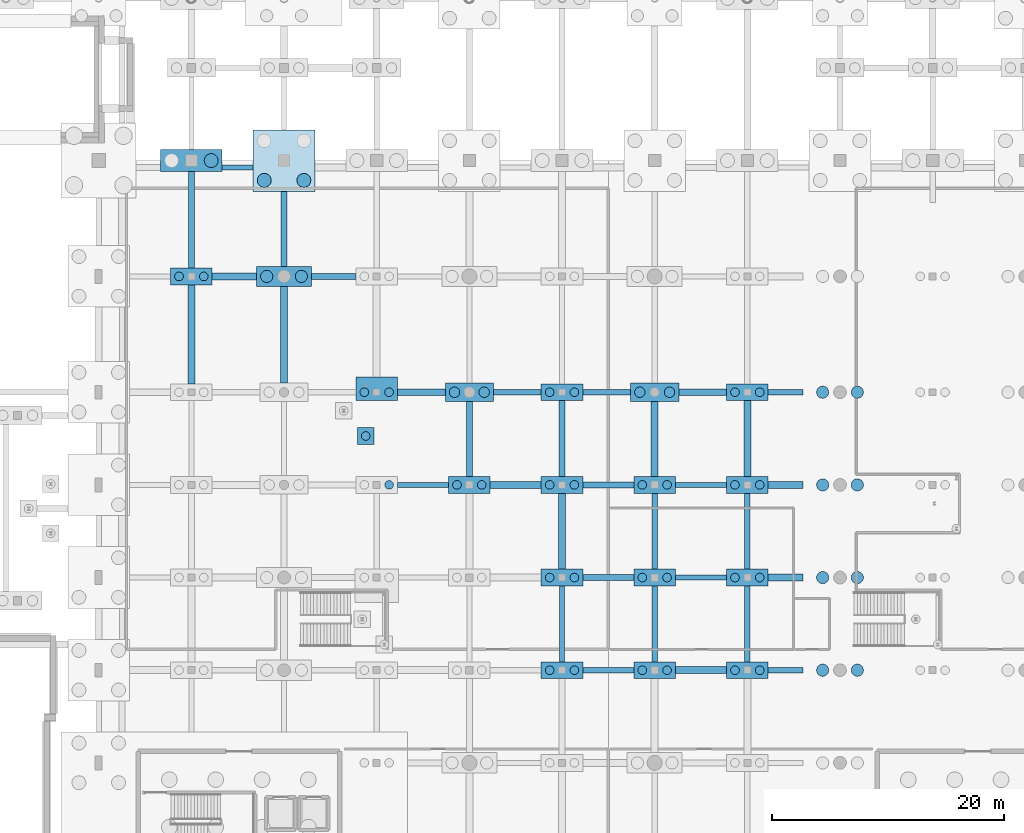
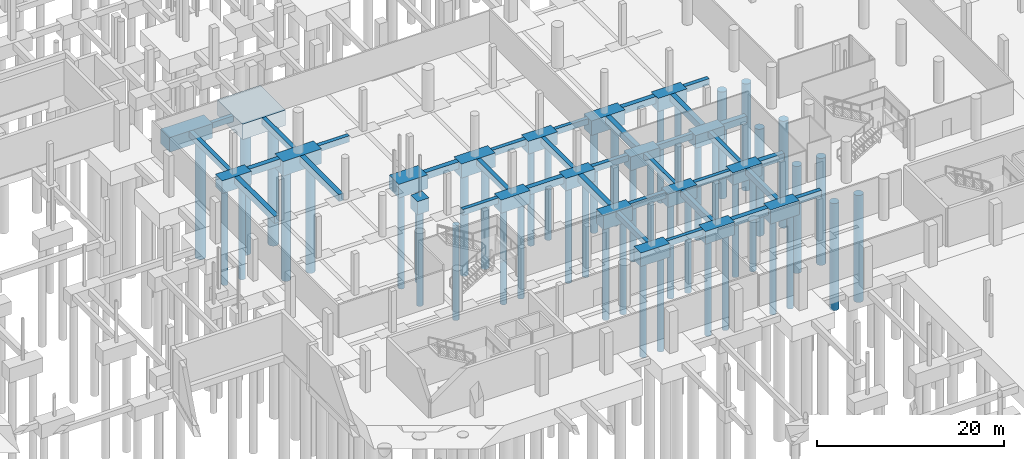
# One storey, part 7 of 65: 53 footings, 47 piles.
"""IFC4 building model written with IfcOpenShell, lengths in metres."""

from ifc_helpers import new_model, si_unit, direction, frame, origin, origin_2d, place, context, subcontext, project, spatial, rectangle, circle, extrude, material, material_profile, profile_set, type_object, element, save


model = new_model("IFC4")

# Units and contexts
model_context = context("Model", 3, precision=1e-05, world=origin(), true_north=direction((0.0, 1.0)))
body_context = subcontext(model_context, "Body", "Model", "MODEL_VIEW")
ifc_project = project(units=[si_unit("LENGTHUNIT", "METRE"), si_unit("AREAUNIT", "SQUARE_METRE"), si_unit("VOLUMEUNIT", "CUBIC_METRE"), si_unit("PLANEANGLEUNIT", "RADIAN"), si_unit("MASSUNIT", "GRAM", prefix="KILO")], contexts=[model_context])

# Site, building, storey
site_placement = place(None, origin())
site = spatial("IfcSite", under=ifc_project, at=site_placement, CompositionType="ELEMENT")
building_placement = place(site_placement, origin())
building = spatial("IfcBuilding", under=site, at=building_placement, Name="Khorjan Park Terminus", CompositionType="ELEMENT")
storey_placement = place(building_placement, frame((0.0, 0.0, -5.4)))
storey = spatial("IfcBuildingStorey", under=building, at=storey_placement, Name="B1", CompositionType="ELEMENT", Elevation=-5.4)

# Footings
ifc_material = material(Name="Concrete C40/50", Category="concrete")
ifc_material_profile_1 = material_profile(ifc_material, rectangle(XDim=0.45, YDim=0.75, at=origin_2d()), Name="RC 450x750")
ifc_profile_set_1 = profile_set([ifc_material_profile_1], Name="Concrete C40/50")
footing_type_1 = type_object("IfcFootingType", Name="FTG-GB-450x750", PredefinedType="FOOTING_BEAM", material=ifc_profile_set_1)
for number, where, z_axis, x_axis, name in (
    (1, (89.794, 44.0, -0.375), (1.0, 0.0, 0.0), (0.0, 1.0, 0.0), "Reinforced concrete ground tie beam FB-07 (32)"),
    (2, (97.794, 52.0, -0.375), (1.0, 0.0, 0.0), (0.0, 1.0, 0.0), "Reinforced concrete ground tie beam FB-07 (44)"),
    (3, (73.794, 60.0, -0.375), (1.0, 0.0, 0.0), (0.0, 1.0, 0.0), "Reinforced concrete ground tie beam FB-07 (50)"),
    (4, (97.794, 60.0, -0.375), (1.0, 0.0, 0.0), (0.0, 1.0, 0.0), "Reinforced concrete ground tie beam FB-07 (53)"),
):
    element("IfcFooting", number, at=place(storey_placement, frame(where, z_axis=z_axis, x_axis=x_axis)), inside=storey, type_object=footing_type_1, Name=name, PredefinedType="FOOTING_BEAM", context=body_context, shape_type="SweptSolid", body=[
        extrude(rectangle(XDim=0.45, YDim=0.75, at=origin_2d()), origin(), (0.0, 0.0, 1.0), 4.412),
    ])
footing_1_placement = place(storey_placement, frame((89.794, 68.0, -0.375), z_axis=(1.0, 0.0, 0.0), x_axis=(0.0, 1.0, 0.0)))
element("IfcFooting", 5, at=footing_1_placement, inside=storey, type_object=footing_type_1, Name="Reinforced concrete ground tie beam FB-07 (62)", PredefinedType="FOOTING_BEAM", context=body_context, shape_type="SweptSolid", body=[
    extrude(rectangle(XDim=0.45, YDim=0.75, at=origin_2d()), origin(), (0.0, 0.0, 1.0), 4.124),
])
footing_2_placement = place(storey_placement, frame((58.66, 87.4, -0.375), z_axis=(1.0, 0.0, 0.0), x_axis=(0.0, 1.0, 0.0)))
element("IfcFooting", 6, at=footing_2_placement, inside=storey, type_object=footing_type_1, Name="Reinforced concrete ground tie beam FB-07 (77)", PredefinedType="FOOTING_BEAM", context=body_context, shape_type="SweptSolid", body=[
    extrude(rectangle(XDim=0.45, YDim=0.75, at=origin_2d()), origin(), (0.0, 0.0, 1.0), 2.68),
])
for number, where, z_axis, x_axis, name in (
    (7, (88.0, 44.725, -0.375), (0.0, 1.0, 0.0), (-1.0, 0.0, 0.0), "Reinforced concrete ground tie beam FB-07 (305)"),
    (8, (96.0, 52.725, -0.375), (0.0, 1.0, 0.0), (-1.0, 0.0, 0.0), "Reinforced concrete ground tie beam FB-07 (320)"),
    (9, (104.0, 52.725, -0.375), (0.0, 1.0, 0.0), (-1.0, 0.0, 0.0), "Reinforced concrete ground tie beam FB-07 (332)"),
):
    element("IfcFooting", number, at=place(storey_placement, frame(where, z_axis=z_axis, x_axis=x_axis)), inside=storey, type_object=footing_type_1, Name=name, PredefinedType="FOOTING_BEAM", context=body_context, shape_type="SweptSolid", body=[
        extrude(rectangle(XDim=0.45, YDim=0.75, at=origin_2d()), origin(), (0.0, 0.0, 1.0), 6.55),
    ])
ifc_material_profile_2 = material_profile(ifc_material, rectangle(XDim=0.5, YDim=0.8, at=origin_2d()), Name="RC 500x800")
ifc_profile_set_2 = profile_set([ifc_material_profile_2], Name="Concrete C40/50")
footing_type_2 = type_object("IfcFootingType", Name="FTG-GB-500x800", PredefinedType="FOOTING_BEAM", material=ifc_profile_set_2)
footing_3_placement = place(storey_placement, frame((105.794, 44.0, -0.4), z_axis=(1.0, 0.0, 0.0), x_axis=(0.0, 1.0, 0.0)))
element("IfcFooting", 10, at=footing_3_placement, inside=storey, type_object=footing_type_2, Name="Reinforced concrete ground tie beam FB-08 (34)", PredefinedType="FOOTING_BEAM", context=body_context, shape_type="SweptSolid", body=[
    extrude(rectangle(XDim=0.5, YDim=0.8, at=origin_2d()), origin(), (0.0, 0.0, 1.0), 3.014),
])
for number, where, z_axis, x_axis, name in (
    (11, (89.794, 52.0, -0.4), (1.0, 0.0, 0.0), (0.0, 1.0, 0.0), "Reinforced concrete ground tie beam FB-08 (43)"),
    (12, (89.794, 60.0, -0.4), (1.0, 0.0, 0.0), (0.0, 1.0, 0.0), "Reinforced concrete ground tie beam FB-08 (52)"),
):
    element("IfcFooting", number, at=place(storey_placement, frame(where, z_axis=z_axis, x_axis=x_axis)), inside=storey, type_object=footing_type_2, Name=name, PredefinedType="FOOTING_BEAM", context=body_context, shape_type="SweptSolid", body=[
        extrude(rectangle(XDim=0.5, YDim=0.8, at=origin_2d()), origin(), (0.0, 0.0, 1.0), 4.412),
    ])
footing_4_placement = place(storey_placement, frame((82.082, 68.0, -0.4), z_axis=(1.0, 0.0, 0.0), x_axis=(0.0, 1.0, 0.0)))
element("IfcFooting", 13, at=footing_4_placement, inside=storey, type_object=footing_type_2, Name="Reinforced concrete ground tie beam FB-08 (61)", PredefinedType="FOOTING_BEAM", context=body_context, shape_type="SweptSolid", body=[
    extrude(rectangle(XDim=0.5, YDim=0.8, at=origin_2d()), origin(), (0.0, 0.0, 1.0), 4.124),
])
footing_5_placement = place(storey_placement, frame((105.794, 68.0, -0.4), z_axis=(1.0, 0.0, 0.0), x_axis=(0.0, 1.0, 0.0)))
element("IfcFooting", 14, at=footing_5_placement, inside=storey, type_object=footing_type_2, Name="Reinforced concrete ground tie beam FB-08 (64)", PredefinedType="FOOTING_BEAM", context=body_context, shape_type="SweptSolid", body=[
    extrude(rectangle(XDim=0.5, YDim=0.8, at=origin_2d()), origin(), (0.0, 0.0, 1.0), 3.014),
])
footing_6_placement = place(storey_placement, frame((66.371, 78.0, -0.4), z_axis=(1.0, 0.0, 0.0), x_axis=(0.0, 1.0, 0.0)))
element("IfcFooting", 15, at=footing_6_placement, inside=storey, type_object=footing_type_2, Name="Reinforced concrete ground tie beam FB-08 (70)", PredefinedType="FOOTING_BEAM", context=body_context, shape_type="SweptSolid", body=[
    extrude(rectangle(XDim=0.5, YDim=0.8, at=origin_2d()), origin(), (0.0, 0.0, 1.0), 3.835),
])
footing_7_placement = place(storey_placement, frame((56.0, 78.725, -0.4), z_axis=(0.0, 1.0, 0.0), x_axis=(-1.0, 0.0, 0.0)))
element("IfcFooting", 16, at=footing_7_placement, inside=storey, type_object=footing_type_2, Name="Reinforced concrete ground tie beam FB-08 (247)", PredefinedType="FOOTING_BEAM", context=body_context, shape_type="SweptSolid", body=[
    extrude(rectangle(XDim=0.5, YDim=0.8, at=origin_2d()), origin(), (0.0, 0.0, 1.0), 8.325),
])
footing_8_placement = place(storey_placement, frame((64.0, 78.875, -0.4), z_axis=(0.0, 1.0, 0.0), x_axis=(-1.0, 0.0, 0.0)))
element("IfcFooting", 17, at=footing_8_placement, inside=storey, type_object=footing_type_2, Name="Reinforced concrete ground tie beam FB-08 (265)", PredefinedType="FOOTING_BEAM", context=body_context, shape_type="SweptSolid", body=[
    extrude(rectangle(XDim=0.5, YDim=0.8, at=origin_2d()), origin(), (0.0, 0.0, 1.0), 6.465),
])
footing_9_placement = place(storey_placement, frame((80.0, 60.725, -0.4), z_axis=(0.0, 1.0, 0.0), x_axis=(-1.0, 0.0, 0.0)))
element("IfcFooting", 18, at=footing_9_placement, inside=storey, type_object=footing_type_2, Name="Reinforced concrete ground tie beam FB-08 (292)", PredefinedType="FOOTING_BEAM", context=body_context, shape_type="SweptSolid", body=[
    extrude(rectangle(XDim=0.5, YDim=0.8, at=origin_2d()), origin(), (0.0, 0.0, 1.0), 6.475),
])
for number, where, z_axis, x_axis, name in (
    (19, (88.0, 60.725, -0.4), (0.0, 1.0, 0.0), (-1.0, 0.0, 0.0), "Reinforced concrete ground tie beam FB-08 (307)"),
    (20, (96.0, 44.725, -0.4), (0.0, 1.0, 0.0), (-1.0, 0.0, 0.0), "Reinforced concrete ground tie beam FB-08 (319)"),
    (21, (104.0, 44.725, -0.4), (0.0, 1.0, 0.0), (-1.0, 0.0, 0.0), "Reinforced concrete ground tie beam FB-08 (331)"),
):
    element("IfcFooting", number, at=place(storey_placement, frame(where, z_axis=z_axis, x_axis=x_axis)), inside=storey, type_object=footing_type_2, Name=name, PredefinedType="FOOTING_BEAM", context=body_context, shape_type="SweptSolid", body=[
        extrude(rectangle(XDim=0.5, YDim=0.8, at=origin_2d()), origin(), (0.0, 0.0, 1.0), 6.55),
    ])
ifc_material_profile_3 = material_profile(ifc_material, rectangle(XDim=0.6, YDim=0.9, at=origin_2d()), Name="RC 600x900")
ifc_profile_set_3 = profile_set([ifc_material_profile_3], Name="Concrete C40/50")
footing_type_3 = type_object("IfcFootingType", Name="FTG-GB-600x900", PredefinedType="FOOTING_BEAM", material=ifc_profile_set_3)
footing_10_placement = place(storey_placement, frame((97.794, 44.0, -0.45), z_axis=(1.0, 0.0, 0.0), x_axis=(0.0, 1.0, 0.0)))
element("IfcFooting", 22, at=footing_10_placement, inside=storey, type_object=footing_type_3, Name="Reinforced concrete ground tie beam FB-09 (33)", PredefinedType="FOOTING_BEAM", context=body_context, shape_type="SweptSolid", body=[
    extrude(rectangle(XDim=0.6, YDim=0.9, at=origin_2d()), origin(), (0.0, 0.0, 1.0), 4.412),
])
footing_11_placement = place(storey_placement, frame((105.794, 52.0, -0.45), z_axis=(1.0, 0.0, 0.0), x_axis=(0.0, 1.0, 0.0)))
element("IfcFooting", 23, at=footing_11_placement, inside=storey, type_object=footing_type_3, Name="Reinforced concrete ground tie beam FB-09 (45)", PredefinedType="FOOTING_BEAM", context=body_context, shape_type="SweptSolid", body=[
    extrude(rectangle(XDim=0.6, YDim=0.9, at=origin_2d()), origin(), (0.0, 0.0, 1.0), 3.014),
])
footing_12_placement = place(storey_placement, frame((81.794, 60.0, -0.45), z_axis=(1.0, 0.0, 0.0), x_axis=(0.0, 1.0, 0.0)))
element("IfcFooting", 24, at=footing_12_placement, inside=storey, type_object=footing_type_3, Name="Reinforced concrete ground tie beam FB-09 (51)", PredefinedType="FOOTING_BEAM", context=body_context, shape_type="SweptSolid", body=[
    extrude(rectangle(XDim=0.6, YDim=0.9, at=origin_2d()), origin(), (0.0, 0.0, 1.0), 4.412),
])
footing_13_placement = place(storey_placement, frame((105.794, 60.0, -0.45), z_axis=(1.0, 0.0, 0.0), x_axis=(0.0, 1.0, 0.0)))
element("IfcFooting", 25, at=footing_13_placement, inside=storey, type_object=footing_type_3, Name="Reinforced concrete ground tie beam FB-09 (54)", PredefinedType="FOOTING_BEAM", context=body_context, shape_type="SweptSolid", body=[
    extrude(rectangle(XDim=0.6, YDim=0.9, at=origin_2d()), origin(), (0.0, 0.0, 1.0), 3.014),
])
for number, where, z_axis, x_axis, name in (
    (26, (73.794, 68.0, -0.45), (1.0, 0.0, 0.0), (0.0, 1.0, 0.0), "Reinforced concrete ground tie beam FB-09 (60)"),
    (27, (98.082, 68.0, -0.45), (1.0, 0.0, 0.0), (0.0, 1.0, 0.0), "Reinforced concrete ground tie beam FB-09 (63)"),
):
    element("IfcFooting", number, at=place(storey_placement, frame(where, z_axis=z_axis, x_axis=x_axis)), inside=storey, type_object=footing_type_3, Name=name, PredefinedType="FOOTING_BEAM", context=body_context, shape_type="SweptSolid", body=[
        extrude(rectangle(XDim=0.6, YDim=0.9, at=origin_2d()), origin(), (0.0, 0.0, 1.0), 4.124),
    ])
footing_14_placement = place(storey_placement, frame((57.794, 78.0, -0.45), z_axis=(1.0, 0.0, 0.0), x_axis=(0.0, 1.0, 0.0)))
element("IfcFooting", 28, at=footing_14_placement, inside=storey, type_object=footing_type_3, Name="Reinforced concrete ground tie beam FB-09 (69)", PredefinedType="FOOTING_BEAM", context=body_context, shape_type="SweptSolid", body=[
    extrude(rectangle(XDim=0.6, YDim=0.9, at=origin_2d()), origin(), (0.0, 0.0, 1.0), 3.835),
])
footing_15_placement = place(storey_placement, frame((56.0, 68.725, -0.45), z_axis=(0.0, 1.0, 0.0), x_axis=(-1.0, 0.0, 0.0)))
element("IfcFooting", 29, at=footing_15_placement, inside=storey, type_object=footing_type_3, Name="Reinforced concrete ground tie beam FB-09 (246)", PredefinedType="FOOTING_BEAM", context=body_context, shape_type="SweptSolid", body=[
    extrude(rectangle(XDim=0.6, YDim=0.9, at=origin_2d()), origin(), (0.0, 0.0, 1.0), 8.55),
])
footing_16_placement = place(storey_placement, frame((64.0, 68.8, -0.45), z_axis=(0.0, 1.0, 0.0), x_axis=(-1.0, 0.0, 0.0)))
element("IfcFooting", 30, at=footing_16_placement, inside=storey, type_object=footing_type_3, Name="Reinforced concrete ground tie beam FB-09 (264)", PredefinedType="FOOTING_BEAM", context=body_context, shape_type="SweptSolid", body=[
    extrude(rectangle(XDim=0.6, YDim=0.9, at=origin_2d()), origin(), (0.0, 0.0, 1.0), 8.325),
])
footing_17_placement = place(storey_placement, frame((88.0, 52.725, -0.45), z_axis=(0.0, 1.0, 0.0), x_axis=(-1.0, 0.0, 0.0)))
element("IfcFooting", 31, at=footing_17_placement, inside=storey, type_object=footing_type_3, Name="Reinforced concrete ground tie beam FB-09 (306)", PredefinedType="FOOTING_BEAM", context=body_context, shape_type="SweptSolid", body=[
    extrude(rectangle(XDim=0.6, YDim=0.9, at=origin_2d()), origin(), (0.0, 0.0, 1.0), 6.55),
])
footing_18_placement = place(storey_placement, frame((96.0, 60.725, -0.45), z_axis=(0.0, 1.0, 0.0), x_axis=(-1.0, 0.0, 0.0)))
element("IfcFooting", 32, at=footing_18_placement, inside=storey, type_object=footing_type_3, Name="Reinforced concrete ground tie beam FB-09 (321)", PredefinedType="FOOTING_BEAM", context=body_context, shape_type="SweptSolid", body=[
    extrude(rectangle(XDim=0.6, YDim=0.9, at=origin_2d()), origin(), (0.0, 0.0, 1.0), 6.475),
])
footing_19_placement = place(storey_placement, frame((104.0, 60.725, -0.45), z_axis=(0.0, 1.0, 0.0), x_axis=(-1.0, 0.0, 0.0)))
element("IfcFooting", 33, at=footing_19_placement, inside=storey, type_object=footing_type_3, Name="Reinforced concrete ground tie beam FB-09 (333)", PredefinedType="FOOTING_BEAM", context=body_context, shape_type="SweptSolid", body=[
    extrude(rectangle(XDim=0.6, YDim=0.9, at=origin_2d()), origin(), (0.0, 0.0, 1.0), 6.55),
])
footing_type_4 = type_object("IfcFootingType", Name="FTG-PC-11", PredefinedType="PILE_CAP", material=ifc_material)
footing_20_placement = place(storey_placement, frame((80.0, 68.0, -1.84), z_axis=(0.0, 0.0, 1.0), x_axis=(1.0, 0.0, 0.0)))
element("IfcFooting", 34, at=footing_20_placement, inside=storey, type_object=footing_type_4, Name="Reinforced concrete pile cap PC-11 (151)", PredefinedType="PILE_CAP", context=body_context, shape_type="SweptSolid", body=[
    extrude(rectangle(XDim=4.164, YDim=1.6, at=origin_2d()), origin(), (0.0, 0.0, 1.0), 1.84),
])
footing_type_5 = type_object("IfcFootingType", Name="FTG-PC-12", PredefinedType="PILE_CAP", material=ifc_material)
footing_21_placement = place(storey_placement, frame((96.0, 68.0, -1.9), z_axis=(0.0, 0.0, 1.0), x_axis=(1.0, 0.0, 0.0)))
element("IfcFooting", 35, at=footing_21_placement, inside=storey, type_object=footing_type_5, Name="Reinforced concrete pile cap PC-12 (184)", PredefinedType="PILE_CAP", context=body_context, shape_type="SweptSolid", body=[
    extrude(rectangle(XDim=4.164, YDim=1.6, at=origin_2d()), origin(), (0.0, 0.0, 1.0), 1.9),
])
footing_type_6 = type_object("IfcFootingType", Name="FTG-PC-17", PredefinedType="PILE_CAP", material=ifc_material)
footing_22_placement = place(storey_placement, frame((71.05, 64.22, -1.72), z_axis=(0.0, 0.0, 1.0), x_axis=(1.0, 0.0, 0.0)))
element("IfcFooting", 36, at=footing_22_placement, inside=storey, type_object=footing_type_6, Name="Reinforced concrete pile cap PC-17 (142)", PredefinedType="PILE_CAP", context=body_context, shape_type="SweptSolid", body=[
    extrude(rectangle(XDim=1.45, YDim=1.45, at=origin_2d()), origin(), (0.0, 0.0, 1.0), 1.72),
])
footing_type_7 = type_object("IfcFootingType", Name="FTG-PC-20", PredefinedType="PILE_CAP", material=ifc_material)
footing_23_placement = place(storey_placement, frame((64.0, 78.0, -1.9), z_axis=(0.0, 0.0, 1.0), x_axis=(1.0, 0.0, 0.0)))
element("IfcFooting", 37, at=footing_23_placement, inside=storey, type_object=footing_type_7, Name="Reinforced concrete pile cap PC-20 (105)", PredefinedType="PILE_CAP", context=body_context, shape_type="SweptSolid", body=[
    extrude(rectangle(XDim=4.742, YDim=1.75, at=origin_2d()), origin(), (0.0, 0.0, 1.0), 1.9),
])
footing_type_8 = type_object("IfcFootingType", Name="FTG-PC-24", PredefinedType="PILE_CAP", material=ifc_material)
footing_24_placement = place(storey_placement, frame((64.0, 88.0, -2.02), z_axis=(0.0, 0.0, 1.0), x_axis=(1.0, 0.0, 0.0)))
element("IfcFooting", 38, at=footing_24_placement, inside=storey, type_object=footing_type_8, Name="Reinforced concrete pile cap PC-24 (102)", PredefinedType="PILE_CAP", context=body_context, shape_type="SweptSolid", body=[
    extrude(rectangle(XDim=5.32, YDim=5.32, at=origin_2d()), origin(), (0.0, 0.0, 1.0), 2.02),
])
footing_type_9 = type_object("IfcFootingType", Name="FTG-PC-34", PredefinedType="PILE_CAP", material=ifc_material)
footing_25_placement = place(storey_placement, frame((56.0, 88.0, -1.9), z_axis=(0.0, 0.0, 1.0), x_axis=(1.0, 0.0, 0.0)))
element("IfcFooting", 39, at=footing_25_placement, inside=storey, type_object=footing_type_9, Name="Reinforced concrete pile cap PC-34 (84)", PredefinedType="PILE_CAP", context=body_context, shape_type="SweptSolid", body=[
    extrude(rectangle(XDim=5.32, YDim=1.9, at=origin_2d()), origin(), (0.0, 0.0, 1.0), 1.9),
])
footing_type_10 = type_object("IfcFootingType", Name="FTG-PC-36", PredefinedType="PILE_CAP", material=ifc_material)
for number, where, z_axis, x_axis, name in (
    (40, (80.0, 60.0, -1.72), (0.0, 0.0, 1.0), (1.0, 0.0, 0.0), "Reinforced concrete pile cap PC-36 (157)"),
    (41, (96.0, 52.0, -1.72), (0.0, 0.0, 1.0), (1.0, 0.0, 0.0), "Reinforced concrete pile cap PC-36 (190)"),
    (42, (104.0, 68.0, -1.72), (0.0, 0.0, 1.0), (1.0, 0.0, 0.0), "Reinforced concrete pile cap PC-36 (211)"),
):
    element("IfcFooting", number, at=place(storey_placement, frame(where, z_axis=z_axis, x_axis=x_axis)), inside=storey, type_object=footing_type_10, Name=name, PredefinedType="PILE_CAP", context=body_context, shape_type="SweptSolid", body=[
        extrude(rectangle(XDim=3.588, YDim=1.45, at=origin_2d()), origin(), (0.0, 0.0, 1.0), 1.72),
    ])
footing_type_11 = type_object("IfcFootingType", Name="FTG-PC-37", PredefinedType="PILE_CAP", material=ifc_material)
for number, where, z_axis, x_axis, name in (
    (43, (88.0, 44.0, -1.78), (0.0, 0.0, 1.0), (1.0, 0.0, 0.0), "Reinforced concrete pile cap PC-37 (171)"),
    (44, (96.0, 60.0, -1.78), (0.0, 0.0, 1.0), (1.0, 0.0, 0.0), "Reinforced concrete pile cap PC-37 (191)"),
):
    element("IfcFooting", number, at=place(storey_placement, frame(where, z_axis=z_axis, x_axis=x_axis)), inside=storey, type_object=footing_type_11, Name=name, PredefinedType="PILE_CAP", context=body_context, shape_type="SweptSolid", body=[
        extrude(rectangle(XDim=3.588, YDim=1.45, at=origin_2d()), origin(), (0.0, 0.0, 1.0), 1.78),
    ])
footing_type_12 = type_object("IfcFootingType", Name="FTG-PC-38", PredefinedType="PILE_CAP", material=ifc_material)
for number, where, z_axis, x_axis, name in (
    (45, (88.0, 52.0, -1.84), (0.0, 0.0, 1.0), (1.0, 0.0, 0.0), "Reinforced concrete pile cap PC-38 (172)"),
    (46, (104.0, 44.0, -1.84), (0.0, 0.0, 1.0), (1.0, 0.0, 0.0), "Reinforced concrete pile cap PC-38 (208)"),
):
    element("IfcFooting", number, at=place(storey_placement, frame(where, z_axis=z_axis, x_axis=x_axis)), inside=storey, type_object=footing_type_12, Name=name, PredefinedType="PILE_CAP", context=body_context, shape_type="SweptSolid", body=[
        extrude(rectangle(XDim=3.588, YDim=1.45, at=origin_2d()), origin(), (0.0, 0.0, 1.0), 1.84),
    ])
footing_type_13 = type_object("IfcFootingType", Name="FTG-PC-39", PredefinedType="PILE_CAP", material=ifc_material)
for number, where, z_axis, x_axis, name in (
    (47, (88.0, 60.0, -1.6), (0.0, 0.0, 1.0), (1.0, 0.0, 0.0), "Reinforced concrete pile cap PC-39 (173)"),
    (48, (104.0, 52.0, -1.6), (0.0, 0.0, 1.0), (1.0, 0.0, 0.0), "Reinforced concrete pile cap PC-39 (209)"),
):
    element("IfcFooting", number, at=place(storey_placement, frame(where, z_axis=z_axis, x_axis=x_axis)), inside=storey, type_object=footing_type_13, Name=name, PredefinedType="PILE_CAP", context=body_context, shape_type="SweptSolid", body=[
        extrude(rectangle(XDim=3.588, YDim=1.45, at=origin_2d()), origin(), (0.0, 0.0, 1.0), 1.6),
    ])
footing_type_14 = type_object("IfcFootingType", Name="FTG-PC-40", PredefinedType="PILE_CAP", material=ifc_material)
for number, where, z_axis, x_axis, name in (
    (49, (56.0, 78.0, -1.66), (0.0, 0.0, 1.0), (1.0, 0.0, 0.0), "Reinforced concrete pile cap PC-40 (96)"),
    (50, (88.0, 68.0, -1.66), (0.0, 0.0, 1.0), (1.0, 0.0, 0.0), "Reinforced concrete pile cap PC-40 (174)"),
    (51, (96.0, 44.0, -1.66), (0.0, 0.0, 1.0), (1.0, 0.0, 0.0), "Reinforced concrete pile cap PC-40 (189)"),
    (52, (104.0, 60.0, -1.66), (0.0, 0.0, 1.0), (1.0, 0.0, 0.0), "Reinforced concrete pile cap PC-40 (210)"),
):
    element("IfcFooting", number, at=place(storey_placement, frame(where, z_axis=z_axis, x_axis=x_axis)), inside=storey, type_object=footing_type_14, Name=name, PredefinedType="PILE_CAP", context=body_context, shape_type="SweptSolid", body=[
        extrude(rectangle(XDim=3.588, YDim=1.45, at=origin_2d()), origin(), (0.0, 0.0, 1.0), 1.66),
    ])
footing_type_15 = type_object("IfcFootingType", Name="FTG-PC-46", PredefinedType="PILE_CAP", material=ifc_material)
footing_26_placement = place(storey_placement, frame((72.0, 68.29, -1.78), z_axis=(0.0, 0.0, 1.0), x_axis=(1.0, 0.0, 0.0)))
element("IfcFooting", 53, at=footing_26_placement, inside=storey, type_object=footing_type_15, Name="Reinforced concrete pile cap PC-46 (140)", PredefinedType="PILE_CAP", context=body_context, shape_type="SweptSolid", body=[
    extrude(rectangle(XDim=3.588, YDim=2.03, at=origin_2d()), origin(), (0.0, 0.0, 1.0), 1.78),
])

# Piles
ifc_material_profile_4 = material_profile(ifc_material, circle(Radius=0.525, at=origin_2d()), Name="BORED D1050")
ifc_profile_set_4 = profile_set([ifc_material_profile_4], Name="Concrete C40/50")
pile_type_1 = type_object("IfcPileType", Name="PL-D1050", PredefinedType="BORED", material=ifc_profile_set_4)
for number, where, z_axis, x_axis, name in (
    (54, (62.5035, 78.0, -1.8), (0.0, 0.0, -1.0), (1.0, 0.0, 0.0), "Bored rock-socketed pile PL-105 (248)"),
    (55, (65.4965, 78.0, -1.8), (0.0, 0.0, -1.0), (1.0, 0.0, 0.0), "Bored rock-socketed pile PL-105 (249)"),
):
    element("IfcPile", number, at=place(storey_placement, frame(where, z_axis=z_axis, x_axis=x_axis)), inside=storey, type_object=pile_type_1, Name=name, PredefinedType="BORED", context=body_context, shape_type="SweptSolid", body=[
        extrude(circle(Radius=0.525, at=origin_2d()), origin(), (0.0, 0.0, 1.0), 14.3),
    ])
for number, where, z_axis, x_axis, name in (
    (56, (110.5035, 44.0, -2.14), (0.0, 0.0, -1.0), (1.0, 0.0, 0.0), "Bored rock-socketed pile PL-105 (639)"),
    (57, (113.4965, 44.0, -2.14), (0.0, 0.0, -1.0), (1.0, 0.0, 0.0), "Bored rock-socketed pile PL-105 (640)"),
    (58, (110.5035, 52.0, -2.14), (0.0, 0.0, -1.0), (1.0, 0.0, 0.0), "Bored rock-socketed pile PL-105 (641)"),
    (59, (113.4965, 52.0, -2.14), (0.0, 0.0, -1.0), (1.0, 0.0, 0.0), "Bored rock-socketed pile PL-105 (642)"),
    (60, (110.5035, 60.0, -2.14), (0.0, 0.0, -1.0), (1.0, 0.0, 0.0), "Bored rock-socketed pile PL-105 (643)"),
    (61, (113.4965, 60.0, -2.14), (0.0, 0.0, -1.0), (1.0, 0.0, 0.0), "Bored rock-socketed pile PL-105 (644)"),
    (62, (110.5035, 68.0, -2.14), (0.0, 0.0, -1.0), (1.0, 0.0, 0.0), "Bored rock-socketed pile PL-105 (645)"),
    (63, (113.4965, 68.0, -2.14), (0.0, 0.0, -1.0), (1.0, 0.0, 0.0), "Bored rock-socketed pile PL-105 (646)"),
):
    element("IfcPile", number, at=place(storey_placement, frame(where, z_axis=z_axis, x_axis=x_axis)), inside=storey, type_object=pile_type_1, Name=name, PredefinedType="BORED", context=body_context, shape_type="SweptSolid", body=[
        extrude(circle(Radius=0.525, at=origin_2d()), origin(), (0.0, 0.0, 1.0), 13.96),
    ])
ifc_material_profile_5 = material_profile(ifc_material, circle(Radius=0.6, at=origin_2d()), Name="BORED D1200")
ifc_profile_set_5 = profile_set([ifc_material_profile_5], Name="Concrete C40/50")
pile_type_2 = type_object("IfcPileType", Name="PL-D1200", PredefinedType="BORED", material=ifc_profile_set_5)
pile_1_placement = place(storey_placement, frame((57.71, 88.0, -1.8), z_axis=(0.0, 0.0, -1.0), x_axis=(1.0, 0.0, 0.0)))
element("IfcPile", 64, at=pile_1_placement, inside=storey, type_object=pile_type_2, Name="Bored rock-socketed pile PL-120 (205)", PredefinedType="BORED", context=body_context, shape_type="SweptSolid", body=[
    extrude(circle(Radius=0.6, at=origin_2d()), origin(), (0.0, 0.0, 1.0), 15.8),
])
for number, where, z_axis, x_axis, name in (
    (65, (62.29, 86.29, -1.92), (0.0, 0.0, -1.0), (1.0, 0.0, 0.0), "Bored rock-socketed pile PL-120 (240)"),
    (66, (65.71, 86.29, -1.92), (0.0, 0.0, -1.0), (1.0, 0.0, 0.0), "Bored rock-socketed pile PL-120 (242)"),
):
    element("IfcPile", number, at=place(storey_placement, frame(where, z_axis=z_axis, x_axis=x_axis)), inside=storey, type_object=pile_type_2, Name=name, PredefinedType="BORED", context=body_context, shape_type="SweptSolid", body=[
        extrude(circle(Radius=0.6, at=origin_2d()), origin(), (0.0, 0.0, 1.0), 15.68),
    ])
ifc_material_profile_6 = material_profile(ifc_material, circle(Radius=0.375, at=origin_2d()), Name="BORED D750")
ifc_profile_set_6 = profile_set([ifc_material_profile_6], Name="Concrete C40/50")
pile_type_3 = type_object("IfcPileType", Name="PL-D750", PredefinedType="BORED", material=ifc_profile_set_6)
for number, where, z_axis, x_axis, name in (
    (67, (54.931, 78.0, -1.56), (0.0, 0.0, -1.0), (1.0, 0.0, 0.0), "Bored rock-socketed pile PL-75 (228)"),
    (68, (57.069, 78.0, -1.56), (0.0, 0.0, -1.0), (1.0, 0.0, 0.0), "Bored rock-socketed pile PL-75 (229)"),
):
    element("IfcPile", number, at=place(storey_placement, frame(where, z_axis=z_axis, x_axis=x_axis)), inside=storey, type_object=pile_type_3, Name=name, PredefinedType="BORED", context=body_context, shape_type="SweptSolid", body=[
        extrude(circle(Radius=0.375, at=origin_2d()), origin(), (0.0, 0.0, 1.0), 12.54),
    ])
pile_2_placement = place(storey_placement, frame((73.069, 60.0, -1.74), z_axis=(0.0, 0.0, -1.0), x_axis=(1.0, 0.0, 0.0)))
element("IfcPile", 69, at=pile_2_placement, inside=storey, type_object=pile_type_3, Name="Bored rock-socketed pile PL-75 (317)", PredefinedType="BORED", context=body_context, shape_type="SweptSolid", body=[
    extrude(circle(Radius=0.375, at=origin_2d()), origin(), (0.0, 0.0, 1.0), 12.36),
])
for number, where, z_axis, x_axis, name in (
    (70, (70.931, 68.0, -1.68), (0.0, 0.0, -1.0), (1.0, 0.0, 0.0), "Bored rock-socketed pile PL-75 (318)"),
    (71, (73.069, 68.0, -1.68), (0.0, 0.0, -1.0), (1.0, 0.0, 0.0), "Bored rock-socketed pile PL-75 (319)"),
):
    element("IfcPile", number, at=place(storey_placement, frame(where, z_axis=z_axis, x_axis=x_axis)), inside=storey, type_object=pile_type_3, Name=name, PredefinedType="BORED", context=body_context, shape_type="SweptSolid", body=[
        extrude(circle(Radius=0.375, at=origin_2d()), origin(), (0.0, 0.0, 1.0), 12.42),
    ])
for number, where, z_axis, x_axis, name in (
    (72, (71.05, 64.22, -1.62), (0.0, 0.0, -1.0), (1.0, 0.0, 0.0), "Bored rock-socketed pile PL-75 (322)"),
    (73, (78.931, 60.0, -1.62), (0.0, 0.0, -1.0), (1.0, 0.0, 0.0), "Bored rock-socketed pile PL-75 (356)"),
    (74, (81.069, 60.0, -1.62), (0.0, 0.0, -1.0), (1.0, 0.0, 0.0), "Bored rock-socketed pile PL-75 (357)"),
):
    element("IfcPile", number, at=place(storey_placement, frame(where, z_axis=z_axis, x_axis=x_axis)), inside=storey, type_object=pile_type_3, Name=name, PredefinedType="BORED", context=body_context, shape_type="SweptSolid", body=[
        extrude(circle(Radius=0.375, at=origin_2d()), origin(), (0.0, 0.0, 1.0), 12.48),
    ])
for number, where, z_axis, x_axis, name in (
    (75, (86.931, 44.0, -1.68), (0.0, 0.0, -1.0), (1.0, 0.0, 0.0), "Bored rock-socketed pile PL-75 (380)"),
    (76, (89.069, 44.0, -1.68), (0.0, 0.0, -1.0), (1.0, 0.0, 0.0), "Bored rock-socketed pile PL-75 (381)"),
):
    element("IfcPile", number, at=place(storey_placement, frame(where, z_axis=z_axis, x_axis=x_axis)), inside=storey, type_object=pile_type_3, Name=name, PredefinedType="BORED", context=body_context, shape_type="SweptSolid", body=[
        extrude(circle(Radius=0.375, at=origin_2d()), origin(), (0.0, 0.0, 1.0), 12.42),
    ])
for number, where, z_axis, x_axis, name in (
    (77, (86.931, 52.0, -1.74), (0.0, 0.0, -1.0), (1.0, 0.0, 0.0), "Bored rock-socketed pile PL-75 (382)"),
    (78, (89.069, 52.0, -1.74), (0.0, 0.0, -1.0), (1.0, 0.0, 0.0), "Bored rock-socketed pile PL-75 (383)"),
):
    element("IfcPile", number, at=place(storey_placement, frame(where, z_axis=z_axis, x_axis=x_axis)), inside=storey, type_object=pile_type_3, Name=name, PredefinedType="BORED", context=body_context, shape_type="SweptSolid", body=[
        extrude(circle(Radius=0.375, at=origin_2d()), origin(), (0.0, 0.0, 1.0), 12.36),
    ])
for number, where, z_axis, x_axis, name in (
    (79, (86.931, 60.0, -1.5), (0.0, 0.0, -1.0), (1.0, 0.0, 0.0), "Bored rock-socketed pile PL-75 (384)"),
    (80, (89.069, 60.0, -1.5), (0.0, 0.0, -1.0), (1.0, 0.0, 0.0), "Bored rock-socketed pile PL-75 (385)"),
):
    element("IfcPile", number, at=place(storey_placement, frame(where, z_axis=z_axis, x_axis=x_axis)), inside=storey, type_object=pile_type_3, Name=name, PredefinedType="BORED", context=body_context, shape_type="SweptSolid", body=[
        extrude(circle(Radius=0.375, at=origin_2d()), origin(), (0.0, 0.0, 1.0), 12.6),
    ])
for number, where, z_axis, x_axis, name in (
    (81, (86.931, 68.0, -1.56), (0.0, 0.0, -1.0), (1.0, 0.0, 0.0), "Bored rock-socketed pile PL-75 (386)"),
    (82, (89.069, 68.0, -1.56), (0.0, 0.0, -1.0), (1.0, 0.0, 0.0), "Bored rock-socketed pile PL-75 (387)"),
    (83, (94.931, 44.0, -1.56), (0.0, 0.0, -1.0), (1.0, 0.0, 0.0), "Bored rock-socketed pile PL-75 (424)"),
    (84, (97.069, 44.0, -1.56), (0.0, 0.0, -1.0), (1.0, 0.0, 0.0), "Bored rock-socketed pile PL-75 (425)"),
):
    element("IfcPile", number, at=place(storey_placement, frame(where, z_axis=z_axis, x_axis=x_axis)), inside=storey, type_object=pile_type_3, Name=name, PredefinedType="BORED", context=body_context, shape_type="SweptSolid", body=[
        extrude(circle(Radius=0.375, at=origin_2d()), origin(), (0.0, 0.0, 1.0), 12.54),
    ])
for number, where, z_axis, x_axis, name in (
    (85, (94.931, 52.0, -1.62), (0.0, 0.0, -1.0), (1.0, 0.0, 0.0), "Bored rock-socketed pile PL-75 (426)"),
    (86, (97.069, 52.0, -1.62), (0.0, 0.0, -1.0), (1.0, 0.0, 0.0), "Bored rock-socketed pile PL-75 (427)"),
):
    element("IfcPile", number, at=place(storey_placement, frame(where, z_axis=z_axis, x_axis=x_axis)), inside=storey, type_object=pile_type_3, Name=name, PredefinedType="BORED", context=body_context, shape_type="SweptSolid", body=[
        extrude(circle(Radius=0.375, at=origin_2d()), origin(), (0.0, 0.0, 1.0), 12.48),
    ])
for number, where, z_axis, x_axis, name in (
    (87, (94.931, 60.0, -1.68), (0.0, 0.0, -1.0), (1.0, 0.0, 0.0), "Bored rock-socketed pile PL-75 (428)"),
    (88, (97.069, 60.0, -1.68), (0.0, 0.0, -1.0), (1.0, 0.0, 0.0), "Bored rock-socketed pile PL-75 (429)"),
):
    element("IfcPile", number, at=place(storey_placement, frame(where, z_axis=z_axis, x_axis=x_axis)), inside=storey, type_object=pile_type_3, Name=name, PredefinedType="BORED", context=body_context, shape_type="SweptSolid", body=[
        extrude(circle(Radius=0.375, at=origin_2d()), origin(), (0.0, 0.0, 1.0), 12.42),
    ])
for number, where, z_axis, x_axis, name in (
    (89, (102.931, 44.0, -1.74), (0.0, 0.0, -1.0), (1.0, 0.0, 0.0), "Bored rock-socketed pile PL-75 (456)"),
    (90, (105.069, 44.0, -1.74), (0.0, 0.0, -1.0), (1.0, 0.0, 0.0), "Bored rock-socketed pile PL-75 (457)"),
):
    element("IfcPile", number, at=place(storey_placement, frame(where, z_axis=z_axis, x_axis=x_axis)), inside=storey, type_object=pile_type_3, Name=name, PredefinedType="BORED", context=body_context, shape_type="SweptSolid", body=[
        extrude(circle(Radius=0.375, at=origin_2d()), origin(), (0.0, 0.0, 1.0), 12.36),
    ])
for number, where, z_axis, x_axis, name in (
    (91, (102.931, 52.0, -1.5), (0.0, 0.0, -1.0), (1.0, 0.0, 0.0), "Bored rock-socketed pile PL-75 (458)"),
    (92, (105.069, 52.0, -1.5), (0.0, 0.0, -1.0), (1.0, 0.0, 0.0), "Bored rock-socketed pile PL-75 (459)"),
):
    element("IfcPile", number, at=place(storey_placement, frame(where, z_axis=z_axis, x_axis=x_axis)), inside=storey, type_object=pile_type_3, Name=name, PredefinedType="BORED", context=body_context, shape_type="SweptSolid", body=[
        extrude(circle(Radius=0.375, at=origin_2d()), origin(), (0.0, 0.0, 1.0), 12.6),
    ])
for number, where, z_axis, x_axis, name in (
    (93, (102.931, 60.0, -1.56), (0.0, 0.0, -1.0), (1.0, 0.0, 0.0), "Bored rock-socketed pile PL-75 (460)"),
    (94, (105.069, 60.0, -1.56), (0.0, 0.0, -1.0), (1.0, 0.0, 0.0), "Bored rock-socketed pile PL-75 (461)"),
):
    element("IfcPile", number, at=place(storey_placement, frame(where, z_axis=z_axis, x_axis=x_axis)), inside=storey, type_object=pile_type_3, Name=name, PredefinedType="BORED", context=body_context, shape_type="SweptSolid", body=[
        extrude(circle(Radius=0.375, at=origin_2d()), origin(), (0.0, 0.0, 1.0), 12.54),
    ])
for number, where, z_axis, x_axis, name in (
    (95, (102.931, 68.0, -1.62), (0.0, 0.0, -1.0), (1.0, 0.0, 0.0), "Bored rock-socketed pile PL-75 (462)"),
    (96, (105.069, 68.0, -1.62), (0.0, 0.0, -1.0), (1.0, 0.0, 0.0), "Bored rock-socketed pile PL-75 (463)"),
):
    element("IfcPile", number, at=place(storey_placement, frame(where, z_axis=z_axis, x_axis=x_axis)), inside=storey, type_object=pile_type_3, Name=name, PredefinedType="BORED", context=body_context, shape_type="SweptSolid", body=[
        extrude(circle(Radius=0.375, at=origin_2d()), origin(), (0.0, 0.0, 1.0), 12.48),
    ])
ifc_material_profile_7 = material_profile(ifc_material, circle(Radius=0.45, at=origin_2d()), Name="BORED D900")
ifc_profile_set_7 = profile_set([ifc_material_profile_7], Name="Concrete C40/50")
pile_type_4 = type_object("IfcPileType", Name="PL-D900", PredefinedType="BORED", material=ifc_profile_set_7)
for number, where, z_axis, x_axis, name in (
    (97, (78.7175, 68.0, -1.74), (0.0, 0.0, -1.0), (1.0, 0.0, 0.0), "Bored rock-socketed pile PL-90 (344)"),
    (98, (81.2825, 68.0, -1.74), (0.0, 0.0, -1.0), (1.0, 0.0, 0.0), "Bored rock-socketed pile PL-90 (345)"),
):
    element("IfcPile", number, at=place(storey_placement, frame(where, z_axis=z_axis, x_axis=x_axis)), inside=storey, type_object=pile_type_4, Name=name, PredefinedType="BORED", context=body_context, shape_type="SweptSolid", body=[
        extrude(circle(Radius=0.45, at=origin_2d()), origin(), (0.0, 0.0, 1.0), 13.36),
    ])
for number, where, z_axis, x_axis, name in (
    (99, (94.7175, 68.0, -1.8), (0.0, 0.0, -1.0), (1.0, 0.0, 0.0), "Bored rock-socketed pile PL-90 (414)"),
    (100, (97.2825, 68.0, -1.8), (0.0, 0.0, -1.0), (1.0, 0.0, 0.0), "Bored rock-socketed pile PL-90 (415)"),
):
    element("IfcPile", number, at=place(storey_placement, frame(where, z_axis=z_axis, x_axis=x_axis)), inside=storey, type_object=pile_type_4, Name=name, PredefinedType="BORED", context=body_context, shape_type="SweptSolid", body=[
        extrude(circle(Radius=0.45, at=origin_2d()), origin(), (0.0, 0.0, 1.0), 13.3),
    ])

save(model, "model.ifc")
